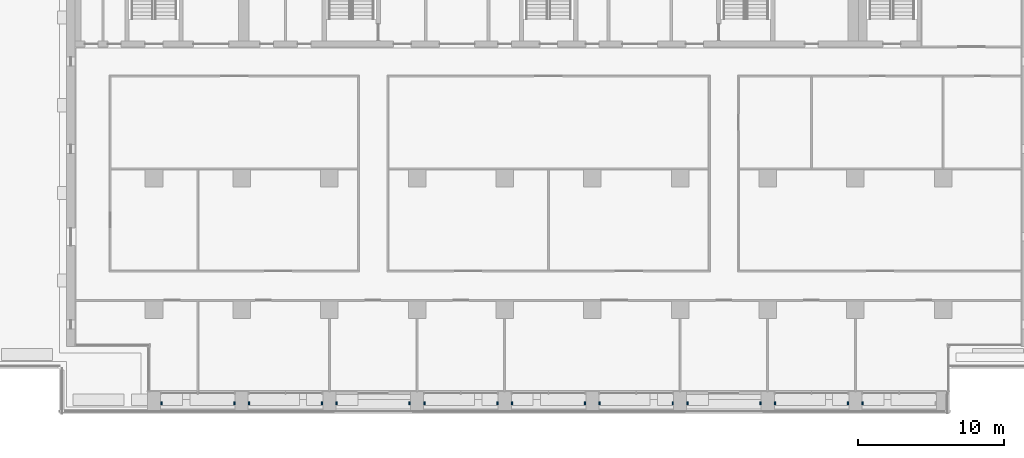
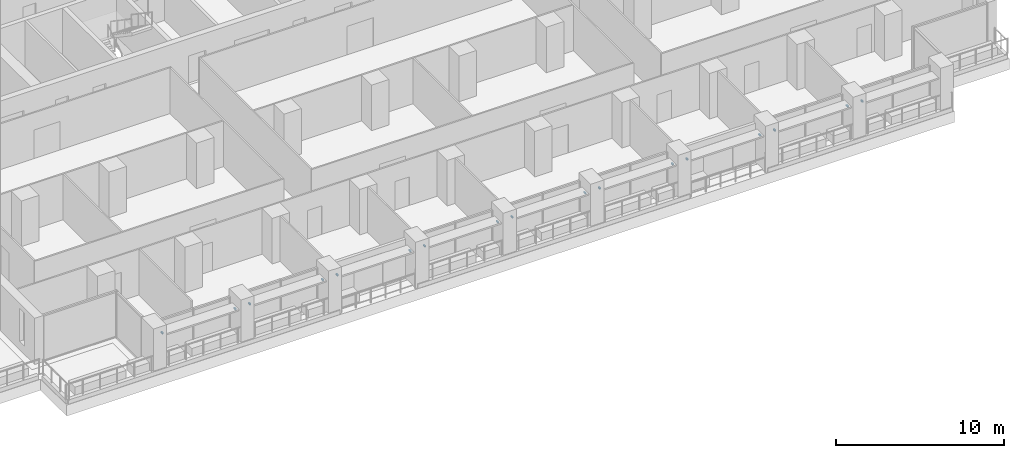
# One storey, part 14 of 19: 17 discrete accessories.
"""IFC4 building model written with IfcOpenShell, lengths in metres."""

from ifc_helpers import new_model, si_unit, direction, frame, origin, origin_2d, place, context, subcontext, project, spatial, rectangle, extrude, element, save


model = new_model("IFC4")

# Units and contexts
model_context = context("Model", 3, precision=1e-05, world=origin(), true_north=direction((0.0, 1.0)))
body_context = subcontext(model_context, "Body", "Model", "MODEL_VIEW")
ifc_project = project(units=[si_unit("LENGTHUNIT", "METRE"), si_unit("AREAUNIT", "SQUARE_METRE"), si_unit("VOLUMEUNIT", "CUBIC_METRE"), si_unit("PLANEANGLEUNIT", "RADIAN"), si_unit("MASSUNIT", "GRAM", prefix="KILO")], contexts=[model_context])

# Site, building, storey
site_placement = place(None, origin())
site = spatial("IfcSite", under=ifc_project, at=site_placement, CompositionType="ELEMENT")
building_placement = place(site_placement, origin())
building = spatial("IfcBuilding", under=site, at=building_placement, Name="Calvaro Tower", CompositionType="ELEMENT")
storey_placement = place(building_placement, frame((0.0, 0.0, 166.75)))
storey = spatial("IfcBuildingStorey", under=building, at=storey_placement, Name="L41", CompositionType="ELEMENT", Elevation=166.75)

# Discrete accessories
for number, where, z_axis, x_axis, name in (
    (1, (12.5, 3.60009765625, 2.349853515625), (0.0, 0.0, 1.0), (1.0, 0.0, 0.0), "Brise-soleil bracket"),
    (2, (17.5, 3.60009765625, 2.349853515625), (0.0, 0.0, 1.0), (1.0, 0.0, 0.0), "Brise-soleil bracket"),
    (3, (18.5, 3.60009765625, 2.349853515625), (0.0, 0.0, 1.0), (1.0, 0.0, 0.0), "Brise-soleil bracket"),
    (4, (23.5, 3.60009765625, 2.349853515625), (0.0, 0.0, 1.0), (1.0, 0.0, 0.0), "Brise-soleil bracket"),
    (5, (24.5, 3.60009765625, 2.349853515625), (0.0, 0.0, 1.0), (1.0, 0.0, 0.0), "Brise-soleil bracket"),
    (6, (29.5, 3.60009765625, 2.349853515625), (0.0, 0.0, 1.0), (1.0, 0.0, 0.0), "Brise-soleil bracket"),
    (7, (30.5, 3.60009765625, 2.349853515625), (0.0, 0.0, 1.0), (1.0, 0.0, 0.0), "Brise-soleil bracket"),
    (8, (35.5, 3.60009765625, 2.349853515625), (0.0, 0.0, 1.0), (1.0, 0.0, 0.0), "Brise-soleil bracket"),
    (9, (36.5, 3.60009765625, 2.349853515625), (0.0, 0.0, 1.0), (1.0, 0.0, 0.0), "Brise-soleil bracket"),
    (10, (41.5, 3.60009765625, 2.349853515625), (0.0, 0.0, 1.0), (1.0, 0.0, 0.0), "Brise-soleil bracket"),
    (11, (42.5, 3.60009765625, 2.349853515625), (0.0, 0.0, 1.0), (1.0, 0.0, 0.0), "Brise-soleil bracket"),
    (12, (47.5, 3.60009765625, 2.349853515625), (0.0, 0.0, 1.0), (1.0, 0.0, 0.0), "Brise-soleil bracket"),
    (13, (48.5, 3.60009765625, 2.349853515625), (0.0, 0.0, 1.0), (1.0, 0.0, 0.0), "Brise-soleil bracket"),
    (14, (53.5, 3.60009765625, 2.349853515625), (0.0, 0.0, 1.0), (1.0, 0.0, 0.0), "Brise-soleil bracket"),
    (15, (54.5, 3.60009765625, 2.349853515625), (0.0, 0.0, 1.0), (1.0, 0.0, 0.0), "Brise-soleil bracket"),
    (16, (59.5, 3.60009765625, 2.349853515625), (0.0, 0.0, 1.0), (1.0, 0.0, 0.0), "Brise-soleil bracket"),
    (17, (60.5, 3.60009765625, 2.349853515625), (0.0, 0.0, 1.0), (1.0, 0.0, 0.0), "Brise-soleil bracket"),
):
    element("IfcDiscreteAccessory", number, at=place(storey_placement, frame(where, z_axis=z_axis, x_axis=x_axis)), inside=storey, Name=name, PredefinedType="BRACKET", context=body_context, shape_type="SweptSolid", body=[
        extrude(rectangle(XDim=0.10009765625, YDim=0.199951171875, at=origin_2d()), origin(), (0.0, 0.0, 1.0), 0.10009765625),
    ])

save(model, "model.ifc")
